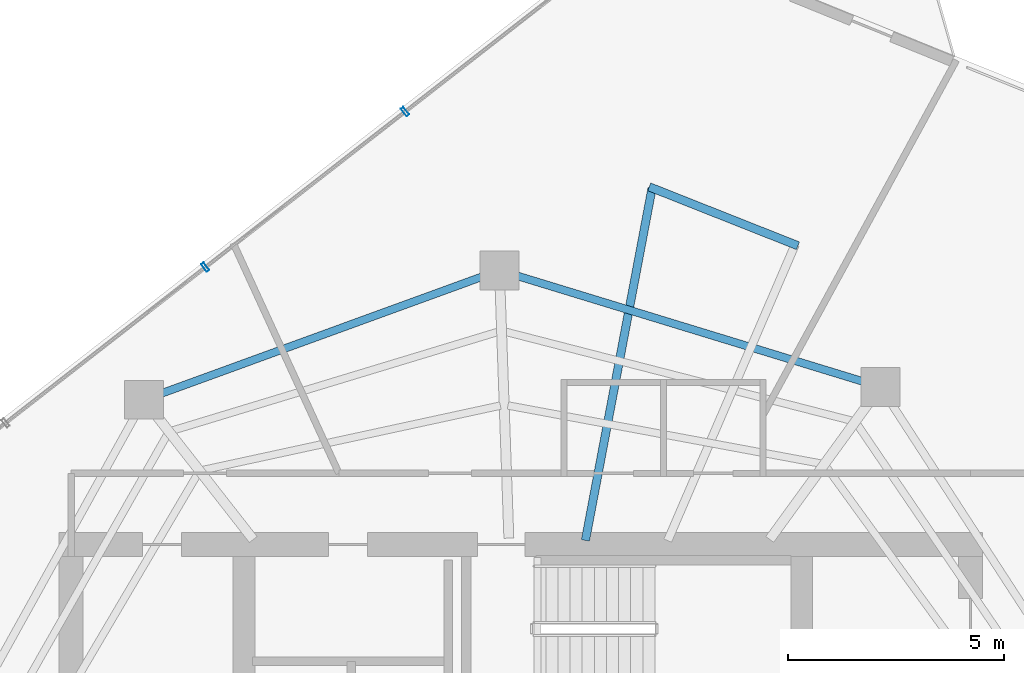
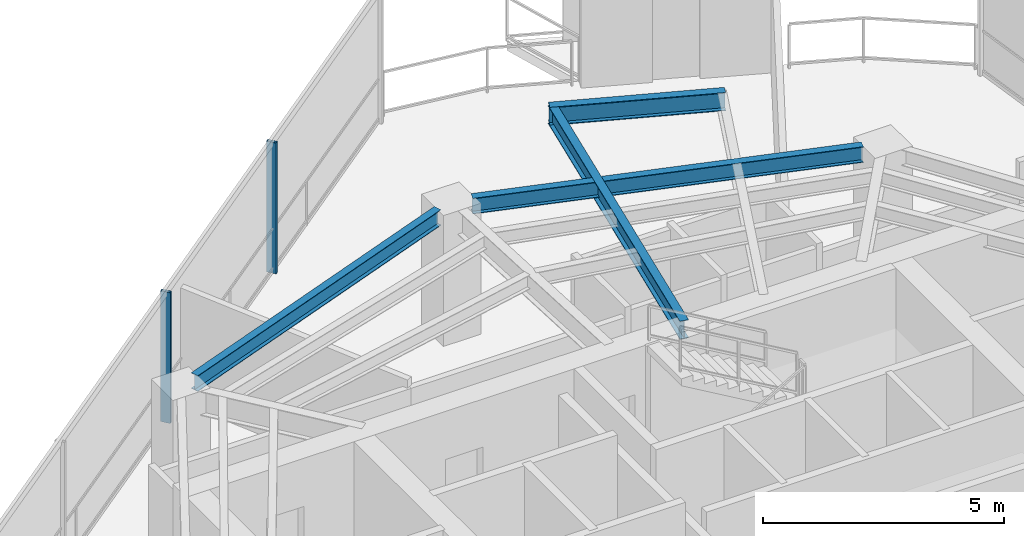
# One storey, part 13 of 19: 4 beams, 2 members, 1 element without a shape of its own.
"""IFC4 building model written with IfcOpenShell, lengths in metres."""

from ifc_helpers import new_model, si_unit, direction, frame, origin, origin_2d, place, context, subcontext, project, spatial, hollow_rectangle, i_section, extrude, material, layer, layer_set, material_profile, profile_set, type_object, element, aggregate, save


model = new_model("IFC4")

# Units and contexts
model_context = context("Model", 3, precision=1e-05, world=origin(), true_north=direction((0.0, 1.0)))
body_context = subcontext(model_context, "Body", "Model", "MODEL_VIEW")
ifc_project = project(units=[si_unit("LENGTHUNIT", "METRE"), si_unit("AREAUNIT", "SQUARE_METRE"), si_unit("VOLUMEUNIT", "CUBIC_METRE"), si_unit("PLANEANGLEUNIT", "RADIAN"), si_unit("MASSUNIT", "GRAM", prefix="KILO")], contexts=[model_context])

# Site, building, storey
site_placement = place(None, origin())
site = spatial("IfcSite", under=ifc_project, at=site_placement, CompositionType="ELEMENT")
building_placement = place(site_placement, origin())
building = spatial("IfcBuilding", under=site, at=building_placement, Name="Qarnah Convention Tower", CompositionType="ELEMENT")
storey_placement = place(building_placement, frame((0.0, 0.0, 209.39990234375)))
storey = spatial("IfcBuildingStorey", under=building, at=storey_placement, Name="L56", CompositionType="ELEMENT", Elevation=209.39990234375)

# Beams
ifc_material_1 = material(Name="Structural steel S355JR", Category="steel")
ifc_material_profile_1 = material_profile(ifc_material_1, i_section(OverallWidth=0.19189453125, OverallDepth=0.464111328125, WebThickness=0.010986328125, FlangeThickness=0.01806640625, at=origin_2d()), Name="W460X89")
ifc_profile_set_1 = profile_set([ifc_material_profile_1], Name="Structural steel S355JR")
beam_type_1 = type_object("IfcBeamType", Name="BM-CANT-W460A", PredefinedType="BEAM", material=ifc_profile_set_1)
beam_1_placement = place(storey_placement, frame((38.694091796875, 34.298095703125, 3.088134765625), z_axis=(0.185927001241, 0.982563560392, 0.0), x_axis=(-0.982563560392, 0.185927001241, 0.0)))
element("IfcBeam", 1, at=beam_1_placement, inside=storey, type_object=beam_type_1, Name="L56 beam BM-L56-CNT-01-2", PredefinedType="BEAM", context=body_context, shape_type="SweptSolid", body=[
    extrude(i_section(OverallWidth=0.19189453125, OverallDepth=0.464111328125, WebThickness=0.010986328125, FlangeThickness=0.01806640625, at=origin_2d()), origin(), (0.0, 0.0, 1.0), 8.29345703125),
])
beam_2_placement = place(storey_placement, frame((43.60791015625, 41.111083984375, 3.088134765625), z_axis=(-0.929683207284, 0.368360060394, 0.0), x_axis=(-0.368360060394, -0.929683207284, 0.0)))
element("IfcBeam", 2, at=beam_2_placement, inside=storey, type_object=beam_type_1, Name="L56 spandrel BM-L56-CTIE-01", PredefinedType="SPANDREL", context=body_context, shape_type="SweptSolid", body=[
    extrude(i_section(OverallWidth=0.19189453125, OverallDepth=0.464111328125, WebThickness=0.010986328125, FlangeThickness=0.01806640625, at=origin_2d()), origin(), (0.0, 0.0, 1.0), 3.697021484375),
])
ifc_material_profile_2 = material_profile(ifc_material_1, i_section(OverallWidth=0.179931640625, OverallDepth=0.39990234375, WebThickness=0.009033203125, FlangeThickness=0.013916015625, at=origin_2d()), Name="IPE400")
ifc_profile_set_2 = profile_set([ifc_material_profile_2], Name="Structural steel S355JR")
beam_type_2 = type_object("IfcBeamType", Name="BM-SPN-IPE400", PredefinedType="SPANDREL", material=ifc_profile_set_2)
beam_3_placement = place(storey_placement, frame((45.095947265625, 37.97705078125, 3.1201171875), z_axis=(-0.956348614223, 0.292228212318, 0.0), x_axis=(-0.292228212318, -0.956348614223, 0.0)))
element("IfcBeam", 3, at=beam_3_placement, inside=storey, type_object=beam_type_2, Name="L56 spandrel BM-L56-SPN-02", PredefinedType="SPANDREL", context=body_context, shape_type="SweptSolid", body=[
    extrude(i_section(OverallWidth=0.179931640625, OverallDepth=0.39990234375, WebThickness=0.009033203125, FlangeThickness=0.013916015625, at=origin_2d()), origin(), (0.0, 0.0, 1.0), 8.332763671875),
])
beam_4_placement = place(storey_placement, frame((36.29296875, 40.39111328125, 3.1201171875), z_axis=(-0.939665594936, -0.342094387112, 0.0), x_axis=(0.342094387112, -0.939665594936, 0.0)))
element("IfcBeam", 4, at=beam_4_placement, inside=storey, type_object=beam_type_2, Name="L56 spandrel BM-L56-SPN-03", PredefinedType="SPANDREL", context=body_context, shape_type="SweptSolid", body=[
    extrude(i_section(OverallWidth=0.179931640625, OverallDepth=0.39990234375, WebThickness=0.009033203125, FlangeThickness=0.013916015625, at=origin_2d()), origin(), (0.0, 0.0, 1.0), 7.86669921875),
])

# Curtain wall, members
ifc_material_2 = material(Name="Tempered Low-E dark glass", Category="glass")
ifc_layer = layer(ifc_material_2, 0.174072265625)
ifc_layer_set = layer_set([ifc_layer], Name="Tempered Low-E dark glass")
curtain_wall_type = type_object("IfcCurtainWallType", Name="CWS-04", PredefinedType="NOTDEFINED", material=ifc_layer_set)
curtain_wall_placement = place(storey_placement, origin())
curtain_wall = element("IfcCurtainWall", 5, at=curtain_wall_placement, inside=storey, type_object=curtain_wall_type, Name="L56 unitised curtain wall CW-L56-F3", PredefinedType="NOTDEFINED")
ifc_material_3 = material(Name="Black anodised aluminium", Category="aluminium")
ifc_material_profile_3 = material_profile(ifc_material_3, hollow_rectangle(XDim=0.074951171875, YDim=0.219970703125, WallThickness=0.0048828125, at=origin_2d()), Name="MUL-75X220")
ifc_profile_set_3 = profile_set([ifc_material_profile_3], Name="Black anodised aluminium")
member_type = type_object("IfcMemberType", Name="MUL-T4", PredefinedType="MULLION", material=ifc_profile_set_3)
member_1_placement = place(storey_placement, frame((29.90380859375, 40.614990234375, 0.0), z_axis=(0.0, 0.0, 1.0), x_axis=(0.788875563731, 0.614552963501, 0.0)))
member_1 = element("IfcMember", 6, at=member_1_placement, type_object=member_type, Name="CW-L56-F3 mullion 4", PredefinedType="MULLION", context=body_context, shape_type="SweptSolid", body=[
    extrude(hollow_rectangle(XDim=0.074951171875, YDim=0.219970703125, WallThickness=0.0048828125, at=origin_2d()), origin(), (0.0, 0.0, 1.0), 3.320068359375),
])
member_2_placement = place(storey_placement, frame((34.5224609375, 44.212890625, 0.0), z_axis=(0.0, 0.0, 1.0), x_axis=(0.788875563731, 0.614552963501, 0.0)))
member_2 = element("IfcMember", 7, at=member_2_placement, type_object=member_type, Name="CW-L56-F3 mullion 5", PredefinedType="MULLION", context=body_context, shape_type="SweptSolid", body=[
    extrude(hollow_rectangle(XDim=0.074951171875, YDim=0.219970703125, WallThickness=0.0048828125, at=origin_2d()), origin(), (0.0, 0.0, 1.0), 3.320068359375),
])
aggregate(curtain_wall, [member_1, member_2])

save(model, "model.ifc")
